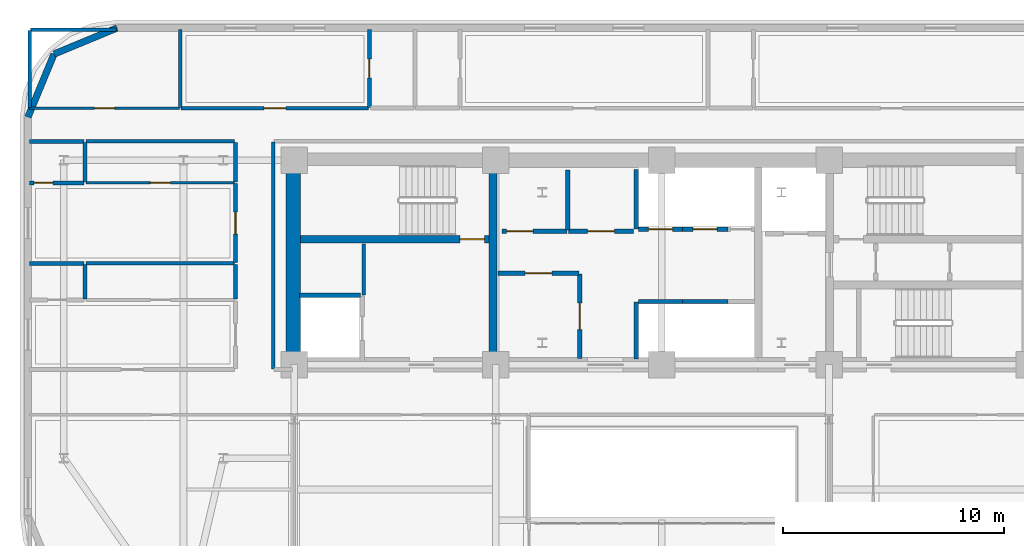
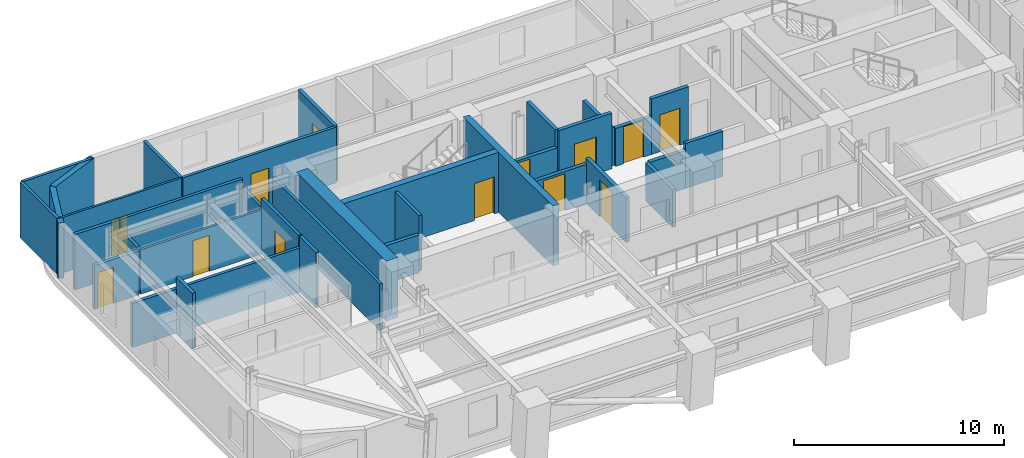
# One storey, part 8 of 14: 36 walls, 13 doors, 13 openings.
"""IFC4 building model written with IfcOpenShell, lengths in metres."""

from ifc_helpers import new_model, si_unit, direction, frame, frame_2d, origin, place, context, subcontext, project, spatial, rectangle, extrude, material, layer, layer_set, type_object, element, fill, save


model = new_model("IFC4")

# Units and contexts
model_context = context("Model", 3, precision=1e-05, world=origin(), true_north=direction((0.0, 1.0)))
body_context = subcontext(model_context, "Body", "Model", "MODEL_VIEW")
ifc_project = project(units=[si_unit("LENGTHUNIT", "METRE"), si_unit("AREAUNIT", "SQUARE_METRE"), si_unit("VOLUMEUNIT", "CUBIC_METRE"), si_unit("PLANEANGLEUNIT", "RADIAN"), si_unit("MASSUNIT", "GRAM", prefix="KILO")], contexts=[model_context])

# Site, building, storey
site_placement = place(None, origin())
site = spatial("IfcSite", under=ifc_project, at=site_placement, CompositionType="ELEMENT")
building_placement = place(site_placement, origin())
building = spatial("IfcBuilding", under=site, at=building_placement, Name="Zarnavel Station Tower", CompositionType="ELEMENT")
storey_placement = place(building_placement, frame((0.0, 0.0, 122.300048828125)))
storey = spatial("IfcBuildingStorey", under=building, at=storey_placement, Name="L33", CompositionType="ELEMENT", Elevation=122.300048828125)

# Wall
ifc_material_1 = material(Name="Concrete C50/60", Category="concrete")
ifc_layer_1 = layer(ifc_material_1, 0.35009765625)
ifc_layer_set_1 = layer_set([ifc_layer_1], Name="CW_350")
wall_type_1 = type_object("IfcWallType", Name="CW_350", PredefinedType="SHEAR", material=ifc_layer_set_1)
wall_1_placement = place(storey_placement, frame((21.179931640625, 28.14501953125, 0.0), z_axis=(0.0, 0.0, 1.0), x_axis=(0.0, 1.0, 0.0)))
element("IfcWall", 1, at=wall_1_placement, inside=storey, type_object=wall_type_1, Name="L33 Rear Core Shear Wall DIV-W", PredefinedType="SHEAR", context=body_context, shape_type="SweptSolid", body=[
    extrude(rectangle(XDim=8.580078125, YDim=0.35009765625, at=frame_2d((4.2900390625, 0.0))), origin(), (0.0, 0.0, 1.0), 3.5),
])

# Wall, opening, door
wall_2_placement = place(storey_placement, frame((21.0048828125, 33.47998046875, 0.0), z_axis=(0.0, 0.0, 1.0), x_axis=(-1.0, 0.0, 0.0)))
wall_2 = element("IfcWall", 2, at=wall_2_placement, inside=storey, type_object=wall_type_1, Name="L33 Rear Core Shear Wall DIV-H1", PredefinedType="SHEAR", context=body_context, shape_type="SweptSolid", body=[
    extrude(rectangle(XDim=8.52978515625, YDim=0.35009765625, at=frame_2d((4.264892578125, 0.0))), origin(), (0.0, 0.0, 1.0), 3.5),
])
opening_1_placement = place(wall_2_placement, frame((0.219970703125, 0.0, 0.0)))
opening_1 = element("IfcOpeningElement", 3, at=opening_1_placement, cuts=wall_2, Name="Opening FD01", PredefinedType="OPENING", context=body_context, shape_type="SweptSolid", body=[
    extrude(rectangle(XDim=1.10009765625, YDim=2.14990234375, at=frame_2d((0.550048828125, 1.074951171875))), frame((0.0, 0.18505859375, 0.0), z_axis=(0.0, -1.0, 0.0), x_axis=(1.0, 0.0, 0.0)), (0.0, 0.0, 1.0), 0.3701171875),
])
ifc_material_2 = material(Name="Painted Galvanised Steel and Hardwood Leaf", Category="steel")
door_type_1 = type_object("IfcDoorType", Name="ID_STAIR_1100", OperationType="NOTDEFINED", PredefinedType="DOOR", material=ifc_material_2)
door_1_placement = place(opening_1_placement, origin())
door_1 = element("IfcDoor", 4, at=door_1_placement, inside=storey, type_object=door_type_1, Name="L33 Stair ST1 Lobby Fire Door", OperationType="SINGLE_SWING_LEFT", OverallHeight=2.14990234375, OverallWidth=1.10009765625, PredefinedType="DOOR", context=body_context, shape_type="SweptSolid", body=[
    extrude(rectangle(XDim=1.10009765625, YDim=2.14990234375, at=frame_2d((0.550048828125, 1.074951171875))), frame((0.0, 0.02490234375, 0.0), z_axis=(0.0, -1.0, 0.0), x_axis=(1.0, 0.0, 0.0)), (0.0, 0.0, 1.0), 0.050048828125),
])
fill(opening_1, door_1)

# Walls
ifc_material_3 = material(Name="Concrete C60/75", Category="concrete")
ifc_layer_2 = layer(ifc_material_3, 0.64990234375)
ifc_layer_set_2 = layer_set([ifc_layer_2], Name="CW_650")
wall_type_2 = type_object("IfcWallType", Name="CW_650", PredefinedType="SHEAR", material=ifc_layer_set_2)
wall_3_placement = place(storey_placement, frame((12.14990234375, 28.14501953125, 0.0), z_axis=(0.0, 0.0, 1.0), x_axis=(0.0, 1.0, 0.0)))
element("IfcWall", 5, at=wall_3_placement, inside=storey, type_object=wall_type_2, Name="L33 Rear Core Shear Wall W", PredefinedType="SHEAR", context=body_context, shape_type="SweptSolid", body=[
    extrude(rectangle(XDim=8.580078125, YDim=0.64990234375, at=frame_2d((4.2900390625, 0.0))), origin(), (0.0, 0.0, 1.0), 3.5),
])
ifc_material_4 = material(Name="Precast concrete C45/55 (Dark Basalt Finish)", Category="masonry")
ifc_layer_3 = layer(ifc_material_4, 0.300048828125)
ifc_layer_set_3 = layer_set([ifc_layer_3], Name="EW_BASALT_300")
wall_type_3 = type_object("IfcWallType", Name="EW_BASALT_300", PredefinedType="SOLIDWALL", material=ifc_layer_set_3)
for number, where, z_axis, x_axis, name in (
    (6, (1.357421875, 41.842529296875, 0.0), (0.0, 0.0, 1.0), (0.923870793506, 0.382704529509, 0.0), "L33 Exterior Basalt Masonry Frame Wall 07"),
    (7, (0.179931640625, 39.0, 0.0), (0.0, 0.0, 1.0), (0.382704529509, 0.923870793506, 0.0), "L33 Exterior Basalt Masonry Frame Wall 08"),
):
    element("IfcWall", number, at=place(storey_placement, frame(where, z_axis=z_axis, x_axis=x_axis)), inside=storey, type_object=wall_type_3, Name=name, PredefinedType="SOLIDWALL", context=body_context, shape_type="SweptSolid", body=[
        extrude(rectangle(XDim=3.07666015625, YDim=0.300048828125, at=frame_2d((1.538330078125, 0.0))), origin(), (0.0, 0.0, 1.0), 3.239990234375),
    ])
ifc_material_5 = material(Name="Gypsum Twin-Stud Acoustic Fire Partition", Category="concrete")
ifc_layer_4 = layer(ifc_material_5, 0.159912109375)
ifc_layer_set_4 = layer_set([ifc_layer_4], Name="PT_DEMISE_160")
wall_type_4 = type_object("IfcWallType", Name="PT_DEMISE_160", PredefinedType="PARTITIONING", material=ifc_layer_set_4)
wall_4_placement = place(storey_placement, frame((9.550048828125, 30.781005859375, 0.0), z_axis=(0.0, 0.0, 1.0), x_axis=(0.0, 1.0, 0.0)))
element("IfcWall", 8, at=wall_4_placement, inside=storey, type_object=wall_type_4, Name="L33 Partition COR-W-FNW1S", PredefinedType="PARTITIONING", context=body_context, shape_type="SweptSolid", body=[
    extrude(rectangle(XDim=1.570068359375, YDim=0.159912109375, at=frame_2d((0.78515625, 0.0))), origin(), (0.0, 0.0, 1.0), 3.239990234375),
])

# Wall, opening, door
wall_5_placement = place(storey_placement, frame((9.550048828125, 32.430908203125, 0.0), z_axis=(0.0, 0.0, 1.0), x_axis=(0.0, 1.0, 0.0)))
wall_5 = element("IfcWall", 9, at=wall_5_placement, inside=storey, type_object=wall_type_4, Name="L33 Partition COR-W-FNW2R", PredefinedType="PARTITIONING", context=body_context, shape_type="SweptSolid", body=[
    extrude(rectangle(XDim=3.55615234375, YDim=0.159912109375, at=frame_2d((1.778076171875, 0.0))), origin(), (0.0, 0.0, 1.0), 3.239990234375),
])
opening_2_placement = place(wall_5_placement, frame((1.278076171875, 0.0, 0.0)))
opening_2 = element("IfcOpeningElement", 10, at=opening_2_placement, cuts=wall_5, Name="Opening FD02", PredefinedType="OPENING", context=body_context, shape_type="SweptSolid", body=[
    extrude(rectangle(XDim=1.0, YDim=2.14990234375, at=frame_2d((0.5, 1.074951171875))), frame((0.0, 0.08984375, 0.0), z_axis=(0.0, -1.0, 0.0), x_axis=(1.0, 0.0, 0.0)), (0.0, 0.0, 1.0), 0.179931640625),
])
ifc_material_6 = material(Name="Painted Galvanised Steel and Hardwood Leaf", Category="steel")
door_type_2 = type_object("IfcDoorType", Name="ID_ENTRY_1000", OperationType="NOTDEFINED", PredefinedType="DOOR", material=ifc_material_6)
door_2_placement = place(opening_2_placement, origin())
door_2 = element("IfcDoor", 11, at=door_2_placement, inside=storey, type_object=door_type_2, Name="L33 Door COR-W-FNW2R", OperationType="SINGLE_SWING_LEFT", OverallHeight=2.14990234375, OverallWidth=1.0, PredefinedType="DOOR", context=body_context, shape_type="SweptSolid", body=[
    extrude(rectangle(XDim=1.0, YDim=2.14990234375, at=frame_2d((0.5, 1.074951171875))), frame((0.0, 0.02490234375, 0.0), z_axis=(0.0, -1.0, 0.0), x_axis=(1.0, 0.0, 0.0)), (0.0, 0.0, 1.0), 0.050048828125),
])
fill(opening_2, door_2)

# Walls
wall_6_placement = place(storey_placement, frame((9.550048828125, 36.06689453125, 0.0), z_axis=(0.0, 0.0, 1.0), x_axis=(0.0, 1.0, 0.0)))
element("IfcWall", 12, at=wall_6_placement, inside=storey, type_object=wall_type_4, Name="L33 Partition COR-W-FNW2S", PredefinedType="PARTITIONING", context=body_context, shape_type="SweptSolid", body=[
    extrude(rectangle(XDim=1.793212890625, YDim=0.159912109375, at=frame_2d((0.896484375, 0.0))), origin(), (0.0, 0.0, 1.0), 2.719970703125),
])
wall_7_placement = place(storey_placement, frame((2.800048828125, 37.89990234375, 0.0), z_axis=(0.0, 0.0, 1.0), x_axis=(1.0, 0.0, 0.0)))
element("IfcWall", 13, at=wall_7_placement, inside=storey, type_object=wall_type_4, Name="L33 Partition COR-N-FNW2S", PredefinedType="PARTITIONING", context=body_context, shape_type="SweptSolid", body=[
    extrude(rectangle(XDim=6.7099609375, YDim=0.159912109375, at=frame_2d((3.35498046875, 0.0))), origin(), (0.0, 0.0, 1.0), 3.239990234375),
])

# Wall, opening, door
wall_8_placement = place(storey_placement, frame((7.10009765625, 39.39990234375, 0.0), z_axis=(0.0, 0.0, 1.0), x_axis=(1.0, 0.0, 0.0)))
wall_8 = element("IfcWall", 14, at=wall_8_placement, inside=storey, type_object=wall_type_4, Name="L33 Partition COR-N-HN1R", PredefinedType="PARTITIONING", context=body_context, shape_type="SweptSolid", body=[
    extrude(rectangle(XDim=8.454833984375, YDim=0.159912109375, at=frame_2d((4.2275390625, 0.0))), origin(), (0.0, 0.0, 1.0), 3.239990234375),
])
opening_3_placement = place(wall_8_placement, frame((3.7275390625, 0.0, 0.0)))
opening_3 = element("IfcOpeningElement", 15, at=opening_3_placement, cuts=wall_8, Name="Opening FD02", PredefinedType="OPENING", context=body_context, shape_type="SweptSolid", body=[
    extrude(rectangle(XDim=1.0, YDim=2.14990234375, at=frame_2d((0.5, 1.074951171875))), frame((0.0, 0.08984375, 0.0), z_axis=(0.0, -1.0, 0.0), x_axis=(1.0, 0.0, 0.0)), (0.0, 0.0, 1.0), 0.179931640625),
])
door_3_placement = place(opening_3_placement, origin())
door_3 = element("IfcDoor", 16, at=door_3_placement, inside=storey, type_object=door_type_2, Name="L33 Door COR-N-HN1R", OperationType="SINGLE_SWING_LEFT", OverallHeight=2.14990234375, OverallWidth=1.0, PredefinedType="DOOR", context=body_context, shape_type="SweptSolid", body=[
    extrude(rectangle(XDim=1.0, YDim=2.14990234375, at=frame_2d((0.5, 1.074951171875))), frame((0.0, 0.02490234375, 0.0), z_axis=(0.0, -1.0, 0.0), x_axis=(1.0, 0.0, 0.0)), (0.0, 0.0, 1.0), 0.050048828125),
])
fill(opening_3, door_3)

# Walls
wall_9_placement = place(storey_placement, frame((2.800048828125, 32.39111328125, 0.0), z_axis=(0.0, 0.0, 1.0), x_axis=(1.0, 0.0, 0.0)))
element("IfcWall", 17, at=wall_9_placement, inside=storey, type_object=wall_type_4, Name="L33 Partition FNW1S-FNW2R", PredefinedType="PARTITIONING", context=body_context, shape_type="SweptSolid", body=[
    extrude(rectangle(XDim=6.7099609375, YDim=0.159912109375, at=frame_2d((3.35498046875, 0.0))), origin(), (0.0, 0.0, 1.0), 2.570068359375),
])
wall_10_placement = place(storey_placement, frame((7.06005859375, 39.43994140625, 0.0), z_axis=(0.0, 0.0, 1.0), x_axis=(0.0, 1.0, 0.0)))
element("IfcWall", 18, at=wall_10_placement, inside=storey, type_object=wall_type_4, Name="L33 Partition HSKP-HN1R", PredefinedType="PARTITIONING", context=body_context, shape_type="SweptSolid", body=[
    extrude(rectangle(XDim=3.5, YDim=0.159912109375, at=frame_2d((1.75, 0.0))), origin(), (0.0, 0.0, 1.0), 3.239990234375),
])
wall_11_placement = place(storey_placement, frame((15.35009765625, 30.9599609375, 0.0), z_axis=(0.0, 0.0, 1.0), x_axis=(0.0, 1.0, 0.0)))
element("IfcWall", 19, at=wall_11_placement, inside=storey, type_object=wall_type_4, Name="L33 Enclosure Wall FFL1", PredefinedType="PARTITIONING", context=body_context, shape_type="SweptSolid", body=[
    extrude(rectangle(XDim=2.31005859375, YDim=0.159912109375, at=frame_2d((1.155029296875, 0.0))), origin(), (0.0, 0.0, 1.0), 3.239990234375),
])
wall_12_placement = place(storey_placement, frame((11.25, 27.6298828125, 0.0), z_axis=(0.0, 0.0, 1.0), x_axis=(0.0, 1.0, 0.0)))
element("IfcWall", 20, at=wall_12_placement, inside=storey, type_object=wall_type_4, Name="L33 Enclosure Wall COR-W", PredefinedType="PARTITIONING", context=body_context, shape_type="SweptSolid", body=[
    extrude(rectangle(XDim=10.240234375, YDim=0.159912109375, at=frame_2d((5.1201171875, 0.0))), origin(), (0.0, 0.0, 1.0), 2.719970703125),
])
wall_13_placement = place(storey_placement, frame((0.2900390625, 42.93994140625, 0.0), z_axis=(0.0, 0.0, 1.0), x_axis=(1.0, 0.0, 0.0)))
element("IfcWall", 21, at=wall_13_placement, inside=storey, type_object=wall_type_4, Name="L33 Enclosure Wall HSKP", PredefinedType="PARTITIONING", context=body_context, shape_type="SweptSolid", body=[
    extrude(rectangle(XDim=3.8798828125, YDim=0.159912109375, at=frame_2d((1.93994140625, 0.0))), origin(), (0.0, 0.0, 1.0), 3.239990234375),
])
wall_14_placement = place(storey_placement, frame((0.260009765625, 39.429931640625, 0.0), z_axis=(0.0, 0.0, 1.0), x_axis=(0.0, 1.0, 0.0)))
element("IfcWall", 22, at=wall_14_placement, inside=storey, type_object=wall_type_4, Name="L33 Enclosure Wall HSKP", PredefinedType="PARTITIONING", context=body_context, shape_type="SweptSolid", body=[
    extrude(rectangle(XDim=3.47998046875, YDim=0.159912109375, at=frame_2d((1.739990234375, 0.0))), origin(), (0.0, 0.0, 1.0), 3.239990234375),
])

# Wall, opening, door
ifc_material_7 = material(Name="Gypsum Metal-Stud Interior Partition", Category="concrete")
ifc_layer_5 = layer(ifc_material_7, 0.1201171875)
ifc_layer_set_5 = layer_set([ifc_layer_5], Name="PT_ROOM_120")
wall_type_5 = type_object("IfcWallType", Name="PT_ROOM_120", PredefinedType="PARTITIONING", material=ifc_layer_set_5)
wall_15_placement = place(storey_placement, frame((0.260009765625, 39.39990234375, 0.0), z_axis=(0.0, 0.0, 1.0), x_axis=(1.0, 0.0, 0.0)))
wall_15 = element("IfcWall", 23, at=wall_15_placement, inside=storey, type_object=wall_type_5, Name="L33 Partition COR-N-HSKP", PredefinedType="PARTITIONING", context=body_context, shape_type="SweptSolid", body=[
    extrude(rectangle(XDim=6.760009765625, YDim=0.1201171875, at=frame_2d((3.3798828125, 0.0))), origin(), (0.0, 0.0, 1.0), 3.239990234375),
])
opening_4_placement = place(wall_15_placement, frame((2.929931640625, 0.0, 0.0)))
opening_4 = element("IfcOpeningElement", 24, at=opening_4_placement, cuts=wall_15, Name="Opening ID01", PredefinedType="OPENING", context=body_context, shape_type="SweptSolid", body=[
    extrude(rectangle(XDim=0.89990234375, YDim=2.10009765625, at=frame_2d((0.449951171875, 1.050048828125))), frame((0.0, 0.070068359375, 0.0), z_axis=(0.0, -1.0, 0.0), x_axis=(1.0, 0.0, 0.0)), (0.0, 0.0, 1.0), 0.14013671875),
])
ifc_material_8 = material(Name="Painted Galvanised Steel and Hardwood Leaf", Category="steel")
door_type_3 = type_object("IfcDoorType", Name="ID_ROOM_900", OperationType="NOTDEFINED", PredefinedType="DOOR", material=ifc_material_8)
door_4_placement = place(opening_4_placement, origin())
door_4 = element("IfcDoor", 25, at=door_4_placement, inside=storey, type_object=door_type_3, Name="L33 Door COR-N-HSKP", OperationType="SINGLE_SWING_RIGHT", OverallHeight=2.10009765625, OverallWidth=0.89990234375, PredefinedType="DOOR", context=body_context, shape_type="SweptSolid", body=[
    extrude(rectangle(XDim=0.89990234375, YDim=2.10009765625, at=frame_2d((0.449951171875, 1.050048828125))), frame((0.0, 0.02490234375, 0.0), z_axis=(0.0, -1.0, 0.0), x_axis=(1.0, 0.0, 0.0)), (0.0, 0.0, 1.0), 0.050048828125),
])
fill(opening_4, door_4)

wall_16_placement = place(storey_placement, frame((2.800048828125, 36.027099609375, 0.0), z_axis=(0.0, 0.0, 1.0), x_axis=(1.0, 0.0, 0.0)))
wall_16 = element("IfcWall", 26, at=wall_16_placement, inside=storey, type_object=wall_type_5, Name="L33 Partition FNW2R-FNW2S", PredefinedType="PARTITIONING", context=body_context, shape_type="SweptSolid", body=[
    extrude(rectangle(XDim=6.7099609375, YDim=0.1201171875, at=frame_2d((3.35498046875, 0.0))), origin(), (0.0, 0.0, 1.0), 2.570068359375),
])
opening_5_placement = place(wall_16_placement, frame((2.905029296875, 0.0, 0.0)))
opening_5 = element("IfcOpeningElement", 27, at=opening_5_placement, cuts=wall_16, Name="Opening ID01", PredefinedType="OPENING", context=body_context, shape_type="SweptSolid", body=[
    extrude(rectangle(XDim=0.89990234375, YDim=2.10009765625, at=frame_2d((0.449951171875, 1.050048828125))), frame((0.0, 0.070068359375, 0.0), z_axis=(0.0, -1.0, 0.0), x_axis=(1.0, 0.0, 0.0)), (0.0, 0.0, 1.0), 0.14013671875),
])
door_5_placement = place(opening_5_placement, origin())
door_5 = element("IfcDoor", 28, at=door_5_placement, inside=storey, type_object=door_type_3, Name="L33 Door FNW2R-FNW2S", OperationType="SINGLE_SWING_LEFT", OverallHeight=2.10009765625, OverallWidth=0.89990234375, PredefinedType="DOOR", context=body_context, shape_type="SweptSolid", body=[
    extrude(rectangle(XDim=0.89990234375, YDim=2.10009765625, at=frame_2d((0.449951171875, 1.050048828125))), frame((0.0, 0.02490234375, 0.0), z_axis=(0.0, -1.0, 0.0), x_axis=(1.0, 0.0, 0.0)), (0.0, 0.0, 1.0), 0.050048828125),
])
fill(opening_5, door_5)

# Walls
ifc_material_9 = material(Name="Precast concrete C45/55 (Fire Shaft Blockwork)", Category="masonry")
ifc_layer_6 = layer(ifc_material_9, 0.199951171875)
ifc_layer_set_6 = layer_set([ifc_layer_6], Name="PT_SHAFT_200")
wall_type_6 = type_object("IfcWallType", Name="PT_SHAFT_200", PredefinedType="PARTITIONING", material=ifc_layer_set_6)
wall_17_placement = place(storey_placement, frame((12.449951171875, 30.949951171875, 0.0), z_axis=(0.0, 0.0, 1.0), x_axis=(1.0, 0.0, 0.0)))
element("IfcWall", 29, at=wall_17_placement, inside=storey, type_object=wall_type_6, Name="L33 Lift FFL-01 North Shaft Wall", PredefinedType="PARTITIONING", context=body_context, shape_type="SweptSolid", body=[
    extrude(rectangle(XDim=2.75, YDim=0.199951171875, at=frame_2d((1.375, 0.0))), origin(), (0.0, 0.0, 1.0), 2.2119140625),
])
wall_18_placement = place(storey_placement, frame((27.75, 30.669921875, 0.0), z_axis=(0.0, 0.0, 1.0), x_axis=(1.0, 0.0, 0.0)))
element("IfcWall", 30, at=wall_18_placement, inside=storey, type_object=wall_type_6, Name="L33 Lift PL-H1 Shaft Front Wall", PredefinedType="PARTITIONING", context=body_context, shape_type="SweptSolid", body=[
    extrude(rectangle(XDim=1.97509765625, YDim=0.199951171875, at=frame_2d((0.987548828125, 0.0))), origin(), (0.0, 0.0, 1.0), 2.2119140625),
])
wall_19_placement = place(storey_placement, frame((27.64990234375, 28.070068359375, 0.0), z_axis=(0.0, 0.0, 1.0), x_axis=(0.0, 1.0, 0.0)))
element("IfcWall", 31, at=wall_19_placement, inside=storey, type_object=wall_type_6, Name="L33 High-Rise Lift Bank West Shaft Wall", PredefinedType="PARTITIONING", context=body_context, shape_type="SweptSolid", body=[
    extrude(rectangle(XDim=2.579833984375, YDim=0.199951171875, at=frame_2d((1.2900390625, 0.0))), origin(), (0.0, 0.0, 1.0), 2.2119140625),
])
wall_20_placement = place(storey_placement, frame((29.72509765625, 30.669921875, 0.0), z_axis=(0.0, 0.0, 1.0), x_axis=(1.0, 0.0, 0.0)))
element("IfcWall", 32, at=wall_20_placement, inside=storey, type_object=wall_type_6, Name="L33 Lift PL-H2 Shaft Front Wall", PredefinedType="PARTITIONING", context=body_context, shape_type="SweptSolid", body=[
    extrude(rectangle(XDim=2.0498046875, YDim=0.199951171875, at=frame_2d((1.02490234375, 0.0))), origin(), (0.0, 0.0, 1.0), 2.619873046875),
])

# Wall, opening, door
wall_21_placement = place(storey_placement, frame((27.75, 33.929931640625, 0.0), z_axis=(0.0, 0.0, 1.0), x_axis=(1.0, 0.0, 0.0)))
wall_21 = element("IfcWall", 33, at=wall_21_placement, inside=storey, type_object=wall_type_6, Name="L33 Lift PL-M1 Shaft Front Wall", PredefinedType="PARTITIONING", context=body_context, shape_type="SweptSolid", body=[
    extrude(rectangle(XDim=1.97509765625, YDim=0.199951171875, at=frame_2d((0.987548828125, 0.0))), origin(), (0.0, 0.0, 1.0), 2.2119140625),
])
opening_6_placement = place(wall_21_placement, frame((0.4375, 0.0, 0.0)))
opening_6 = element("IfcOpeningElement", 34, at=opening_6_placement, cuts=wall_21, Name="Opening LD02", PredefinedType="OPENING", context=body_context, shape_type="SweptSolid", body=[
    extrude(rectangle(XDim=1.10009765625, YDim=2.14990234375, at=frame_2d((0.550048828125, 1.074951171875))), frame((0.0, 0.10986328125, 0.0), z_axis=(0.0, -1.0, 0.0), x_axis=(1.0, 0.0, 0.0)), (0.0, 0.0, 1.0), 0.219970703125),
])
ifc_material_10 = material(Name="Painted Galvanised Steel and Hardwood Leaf", Category="steel")
door_type_4 = type_object("IfcDoorType", Name="LD_PAX_1100", OperationType="DOUBLE_DOOR_SLIDING", PredefinedType="DOOR", material=ifc_material_10)
door_6_placement = place(opening_6_placement, origin())
door_6 = element("IfcDoor", 35, at=door_6_placement, inside=storey, type_object=door_type_4, Name="L33 Lift PL-M1 Sliding Landing Door", OperationType="DOUBLE_DOOR_SLIDING", OverallHeight=2.14990234375, OverallWidth=1.10009765625, PredefinedType="DOOR", context=body_context, shape_type="SweptSolid", body=[
    extrude(rectangle(XDim=1.10009765625, YDim=2.14990234375, at=frame_2d((0.550048828125, 1.074951171875))), frame((0.0, 0.02490234375, 0.0), z_axis=(0.0, -1.0, 0.0), x_axis=(1.0, 0.0, 0.0)), (0.0, 0.0, 1.0), 0.050048828125),
])
fill(opening_6, door_6)

# Wall
wall_22_placement = place(storey_placement, frame((27.64990234375, 33.949951171875, 0.0), z_axis=(0.0, 0.0, 1.0), x_axis=(0.0, 1.0, 0.0)))
element("IfcWall", 36, at=wall_22_placement, inside=storey, type_object=wall_type_6, Name="L33 Mid-Rise Lift Bank West Shaft Wall", PredefinedType="PARTITIONING", context=body_context, shape_type="SweptSolid", body=[
    extrude(rectangle(XDim=2.679931640625, YDim=0.199951171875, at=frame_2d((1.33984375, 0.0))), origin(), (0.0, 0.0, 1.0), 2.2119140625),
])

# Wall, opening, door
wall_23_placement = place(storey_placement, frame((29.72509765625, 33.929931640625, 0.0), z_axis=(0.0, 0.0, 1.0), x_axis=(1.0, 0.0, 0.0)))
wall_23 = element("IfcWall", 37, at=wall_23_placement, inside=storey, type_object=wall_type_6, Name="L33 Lift PL-M2 Shaft Front Wall", PredefinedType="PARTITIONING", context=body_context, shape_type="SweptSolid", body=[
    extrude(rectangle(XDim=2.0498046875, YDim=0.199951171875, at=frame_2d((1.02490234375, 0.0))), origin(), (0.0, 0.0, 1.0), 3.239990234375),
])
opening_7_placement = place(wall_23_placement, frame((0.47509765625, 0.0, 0.0)))
opening_7 = element("IfcOpeningElement", 38, at=opening_7_placement, cuts=wall_23, Name="Opening LD02", PredefinedType="OPENING", context=body_context, shape_type="SweptSolid", body=[
    extrude(rectangle(XDim=1.10009765625, YDim=2.14990234375, at=frame_2d((0.550048828125, 1.074951171875))), frame((0.0, 0.10986328125, 0.0), z_axis=(0.0, -1.0, 0.0), x_axis=(1.0, 0.0, 0.0)), (0.0, 0.0, 1.0), 0.219970703125),
])
door_7_placement = place(opening_7_placement, origin())
door_7 = element("IfcDoor", 39, at=door_7_placement, inside=storey, type_object=door_type_4, Name="L33 Lift PL-M2 Sliding Landing Door", OperationType="DOUBLE_DOOR_SLIDING", OverallHeight=2.14990234375, OverallWidth=1.10009765625, PredefinedType="DOOR", context=body_context, shape_type="SweptSolid", body=[
    extrude(rectangle(XDim=1.10009765625, YDim=2.14990234375, at=frame_2d((0.550048828125, 1.074951171875))), frame((0.0, 0.02490234375, 0.0), z_axis=(0.0, -1.0, 0.0), x_axis=(1.0, 0.0, 0.0)), (0.0, 0.0, 1.0), 0.050048828125),
])
fill(opening_7, door_7)

wall_24_placement = place(storey_placement, frame((21.39990234375, 31.949951171875, 0.0), z_axis=(0.0, 0.0, 1.0), x_axis=(1.0, 0.0, 0.0)))
wall_24 = element("IfcWall", 40, at=wall_24_placement, inside=storey, type_object=wall_type_6, Name="L33 Partition LLOB-CS1", PredefinedType="PARTITIONING", context=body_context, shape_type="SweptSolid", body=[
    extrude(rectangle(XDim=3.66015625, YDim=0.199951171875, at=frame_2d((1.830078125, 0.0))), origin(), (0.0, 0.0, 1.0), 2.280029296875),
])
opening_8_placement = place(wall_24_placement, frame((1.22998046875, 0.0, 0.0)))
opening_8 = element("IfcOpeningElement", 41, at=opening_8_placement, cuts=wall_24, Name="Opening FD03", PredefinedType="OPENING", context=body_context, shape_type="SweptSolid", body=[
    extrude(rectangle(XDim=1.199951171875, YDim=2.14990234375, at=frame_2d((0.60009765625, 1.074951171875))), frame((0.0, 0.10986328125, 0.0), z_axis=(0.0, -1.0, 0.0), x_axis=(1.0, 0.0, 0.0)), (0.0, 0.0, 1.0), 0.219970703125),
])
ifc_material_11 = material(Name="Painted Galvanised Steel and Hardwood Leaf", Category="steel")
door_type_5 = type_object("IfcDoorType", Name="ID_PLANT_1200", OperationType="NOTDEFINED", PredefinedType="DOOR", material=ifc_material_11)
door_8_placement = place(opening_8_placement, origin())
door_8 = element("IfcDoor", 42, at=door_8_placement, inside=storey, type_object=door_type_5, Name="L33 Door LLOB-CS1", OperationType="SINGLE_SWING_RIGHT", OverallHeight=2.14990234375, OverallWidth=1.199951171875, PredefinedType="DOOR", context=body_context, shape_type="SweptSolid", body=[
    extrude(rectangle(XDim=1.199951171875, YDim=2.14990234375, at=frame_2d((0.60009765625, 1.074951171875))), frame((0.0, 0.02490234375, 0.0), z_axis=(0.0, -1.0, 0.0), x_axis=(1.0, 0.0, 0.0)), (0.0, 0.0, 1.0), 0.050048828125),
])
fill(opening_8, door_8)

wall_25_placement = place(storey_placement, frame((21.590087890625, 33.85009765625, 0.0), z_axis=(0.0, 0.0, 1.0), x_axis=(1.0, 0.0, 0.0)))
wall_25 = element("IfcWall", 43, at=wall_25_placement, inside=storey, type_object=wall_type_6, Name="L33 Partition LLOB-FB1A", PredefinedType="PARTITIONING", context=body_context, shape_type="SweptSolid", body=[
    extrude(rectangle(XDim=2.919921875, YDim=0.199951171875, at=frame_2d((1.4599609375, 0.0))), origin(), (0.0, 0.0, 1.0), 2.280029296875),
])
opening_9_placement = place(wall_25_placement, frame((0.199951171875, 0.0, 0.0)))
opening_9 = element("IfcOpeningElement", 44, at=opening_9_placement, cuts=wall_25, Name="Opening FD03", PredefinedType="OPENING", context=body_context, shape_type="SweptSolid", body=[
    extrude(rectangle(XDim=1.199951171875, YDim=2.14990234375, at=frame_2d((0.60009765625, 1.074951171875))), frame((0.0, 0.10986328125, 0.0), z_axis=(0.0, -1.0, 0.0), x_axis=(1.0, 0.0, 0.0)), (0.0, 0.0, 1.0), 0.219970703125),
])
door_9_placement = place(opening_9_placement, origin())
door_9 = element("IfcDoor", 45, at=door_9_placement, inside=storey, type_object=door_type_5, Name="L33 Door LLOB-FB1A", OperationType="SINGLE_SWING_LEFT", OverallHeight=2.14990234375, OverallWidth=1.199951171875, PredefinedType="DOOR", context=body_context, shape_type="SweptSolid", body=[
    extrude(rectangle(XDim=1.199951171875, YDim=2.14990234375, at=frame_2d((0.60009765625, 1.074951171875))), frame((0.0, 0.02490234375, 0.0), z_axis=(0.0, -1.0, 0.0), x_axis=(1.0, 0.0, 0.0)), (0.0, 0.0, 1.0), 0.050048828125),
])
fill(opening_9, door_9)

wall_26_placement = place(storey_placement, frame((24.590087890625, 33.85009765625, 0.0), z_axis=(0.0, 0.0, 1.0), x_axis=(1.0, 0.0, 0.0)))
wall_26 = element("IfcWall", 46, at=wall_26_placement, inside=storey, type_object=wall_type_6, Name="L33 Partition LLOB-FB1B", PredefinedType="PARTITIONING", context=body_context, shape_type="SweptSolid", body=[
    extrude(rectangle(XDim=2.919921875, YDim=0.199951171875, at=frame_2d((1.4599609375, 0.0))), origin(), (0.0, 0.0, 1.0), 3.239990234375),
])
opening_10_placement = place(wall_26_placement, frame((0.860107421875, 0.0, 0.0)))
opening_10 = element("IfcOpeningElement", 47, at=opening_10_placement, cuts=wall_26, Name="Opening FD03", PredefinedType="OPENING", context=body_context, shape_type="SweptSolid", body=[
    extrude(rectangle(XDim=1.199951171875, YDim=2.14990234375, at=frame_2d((0.60009765625, 1.074951171875))), frame((0.0, 0.10986328125, 0.0), z_axis=(0.0, -1.0, 0.0), x_axis=(1.0, 0.0, 0.0)), (0.0, 0.0, 1.0), 0.219970703125),
])
door_10_placement = place(opening_10_placement, origin())
door_10 = element("IfcDoor", 48, at=door_10_placement, inside=storey, type_object=door_type_5, Name="L33 Door LLOB-FB1B", OperationType="SINGLE_SWING_RIGHT", OverallHeight=2.14990234375, OverallWidth=1.199951171875, PredefinedType="DOOR", context=body_context, shape_type="SweptSolid", body=[
    extrude(rectangle(XDim=1.199951171875, YDim=2.14990234375, at=frame_2d((0.60009765625, 1.074951171875))), frame((0.0, 0.02490234375, 0.0), z_axis=(0.0, -1.0, 0.0), x_axis=(1.0, 0.0, 0.0)), (0.0, 0.0, 1.0), 0.050048828125),
])
fill(opening_10, door_10)

wall_27_placement = place(storey_placement, frame((25.10009765625, 28.090087890625, 0.0), z_axis=(0.0, 0.0, 1.0), x_axis=(0.0, 1.0, 0.0)))
wall_27 = element("IfcWall", 49, at=wall_27_placement, inside=storey, type_object=wall_type_6, Name="L33 Partition LLOBS-CS1", PredefinedType="PARTITIONING", context=body_context, shape_type="SweptSolid", body=[
    extrude(rectangle(XDim=3.81982421875, YDim=0.199951171875, at=frame_2d((1.909912109375, 0.0))), origin(), (0.0, 0.0, 1.0), 2.619873046875),
])
opening_11_placement = place(wall_27_placement, frame((1.31005859375, 0.0, 0.0)))
opening_11 = element("IfcOpeningElement", 50, at=opening_11_placement, cuts=wall_27, Name="Opening FD03", PredefinedType="OPENING", context=body_context, shape_type="SweptSolid", body=[
    extrude(rectangle(XDim=1.199951171875, YDim=2.14990234375, at=frame_2d((0.60009765625, 1.074951171875))), frame((0.0, 0.10986328125, 0.0), z_axis=(0.0, -1.0, 0.0), x_axis=(1.0, 0.0, 0.0)), (0.0, 0.0, 1.0), 0.219970703125),
])
door_11_placement = place(opening_11_placement, origin())
door_11 = element("IfcDoor", 51, at=door_11_placement, inside=storey, type_object=door_type_5, Name="L33 Door LLOBS-CS1", OperationType="SINGLE_SWING_LEFT", OverallHeight=2.14990234375, OverallWidth=1.199951171875, PredefinedType="DOOR", context=body_context, shape_type="SweptSolid", body=[
    extrude(rectangle(XDim=1.199951171875, YDim=2.14990234375, at=frame_2d((0.60009765625, 1.074951171875))), frame((0.0, 0.02490234375, 0.0), z_axis=(0.0, -1.0, 0.0), x_axis=(1.0, 0.0, 0.0)), (0.0, 0.0, 1.0), 0.050048828125),
])
fill(opening_11, door_11)

# Walls
wall_28_placement = place(storey_placement, frame((24.550048828125, 33.889892578125, 0.0), z_axis=(0.0, 0.0, 1.0), x_axis=(0.0, 1.0, 0.0)))
element("IfcWall", 52, at=wall_28_placement, inside=storey, type_object=wall_type_6, Name="L33 Partition FB1A-FB1B", PredefinedType="PARTITIONING", context=body_context, shape_type="SweptSolid", body=[
    extrude(rectangle(XDim=2.72021484375, YDim=0.199951171875, at=frame_2d((1.360107421875, 0.0))), origin(), (0.0, 0.0, 1.0), 3.239990234375),
])
ifc_material_12 = material(Name="Moisture-Resistant Plumbing Chase Wall", Category="concrete")
ifc_layer_7 = layer(ifc_material_12, 0.179931640625)
ifc_layer_set_7 = layer_set([ifc_layer_7], Name="PW_PLUMB_180")
wall_type_7 = type_object("IfcWallType", Name="PW_PLUMB_180", PredefinedType="PLUMBINGWALL", material=ifc_layer_set_7)
wall_29_placement = place(storey_placement, frame((0.260009765625, 37.89990234375, 0.0), z_axis=(0.0, 0.0, 1.0), x_axis=(1.0, 0.0, 0.0)))
element("IfcWall", 53, at=wall_29_placement, inside=storey, type_object=wall_type_7, Name="L33 Partition COR-N-FNW2B", PredefinedType="PLUMBINGWALL", context=body_context, shape_type="SweptSolid", body=[
    extrude(rectangle(XDim=2.4599609375, YDim=0.179931640625, at=frame_2d((1.22998046875, 0.0))), origin(), (0.0, 0.0, 1.0), 3.239990234375),
])
wall_30_placement = place(storey_placement, frame((2.760009765625, 30.781005859375, 0.0), z_axis=(0.0, 0.0, 1.0), x_axis=(0.0, 1.0, 0.0)))
element("IfcWall", 54, at=wall_30_placement, inside=storey, type_object=wall_type_7, Name="L33 Partition FNW1B-FNW1S", PredefinedType="PLUMBINGWALL", context=body_context, shape_type="SweptSolid", body=[
    extrude(rectangle(XDim=1.570068359375, YDim=0.179931640625, at=frame_2d((0.78515625, 0.0))), origin(), (0.0, 0.0, 1.0), 3.239990234375),
])
wall_31_placement = place(storey_placement, frame((0.260009765625, 32.39111328125, 0.0), z_axis=(0.0, 0.0, 1.0), x_axis=(1.0, 0.0, 0.0)))
element("IfcWall", 55, at=wall_31_placement, inside=storey, type_object=wall_type_7, Name="L33 Partition FNW1B-FNW2R", PredefinedType="PLUMBINGWALL", context=body_context, shape_type="SweptSolid", body=[
    extrude(rectangle(XDim=2.4599609375, YDim=0.179931640625, at=frame_2d((1.22998046875, 0.0))), origin(), (0.0, 0.0, 1.0), 2.570068359375),
])

# Wall, opening, door
wall_32_placement = place(storey_placement, frame((2.719970703125, 36.027099609375, 0.0), z_axis=(0.0, 0.0, 1.0), x_axis=(-1.0, 0.0, 0.0)))
wall_32 = element("IfcWall", 56, at=wall_32_placement, inside=storey, type_object=wall_type_7, Name="L33 Partition FNW2R-FNW2B", PredefinedType="PLUMBINGWALL", context=body_context, shape_type="SweptSolid", body=[
    extrude(rectangle(XDim=2.4599609375, YDim=0.179931640625, at=frame_2d((1.22998046875, 0.0))), origin(), (0.0, 0.0, 1.0), 2.570068359375),
])
opening_12_placement = place(wall_32_placement, frame((1.41455078125, 0.0, 0.0)))
opening_12 = element("IfcOpeningElement", 57, at=opening_12_placement, cuts=wall_32, Name="Opening ID02", PredefinedType="OPENING", context=body_context, shape_type="SweptSolid", body=[
    extrude(rectangle(XDim=0.85009765625, YDim=2.10009765625, at=frame_2d((0.425048828125, 1.050048828125))), frame((0.0, 0.099853515625, 0.0), z_axis=(0.0, -1.0, 0.0), x_axis=(1.0, 0.0, 0.0)), (0.0, 0.0, 1.0), 0.199951171875),
])
ifc_material_13 = material(Name="Painted Galvanised Steel and Hardwood Leaf", Category="steel")
door_type_6 = type_object("IfcDoorType", Name="ID_BATH_850", OperationType="NOTDEFINED", PredefinedType="DOOR", material=ifc_material_13)
door_12_placement = place(opening_12_placement, origin())
door_12 = element("IfcDoor", 58, at=door_12_placement, inside=storey, type_object=door_type_6, Name="L33 Door FNW2R-FNW2B", OperationType="SINGLE_SWING_RIGHT", OverallHeight=2.10009765625, OverallWidth=0.85009765625, PredefinedType="DOOR", context=body_context, shape_type="SweptSolid", body=[
    extrude(rectangle(XDim=0.85009765625, YDim=2.10009765625, at=frame_2d((0.425048828125, 1.050048828125))), frame((0.0, 0.02490234375, 0.0), z_axis=(0.0, -1.0, 0.0), x_axis=(1.0, 0.0, 0.0)), (0.0, 0.0, 1.0), 0.050048828125),
])
fill(opening_12, door_12)

# Wall
wall_33_placement = place(storey_placement, frame((2.760009765625, 36.06689453125, 0.0), z_axis=(0.0, 0.0, 1.0), x_axis=(0.0, 1.0, 0.0)))
element("IfcWall", 59, at=wall_33_placement, inside=storey, type_object=wall_type_7, Name="L33 Partition FNW2B-FNW2S", PredefinedType="PLUMBINGWALL", context=body_context, shape_type="SweptSolid", body=[
    extrude(rectangle(XDim=1.793212890625, YDim=0.179931640625, at=frame_2d((0.896484375, 0.0))), origin(), (0.0, 0.0, 1.0), 2.719970703125),
])

# Wall, opening, door
wall_34_placement = place(storey_placement, frame((15.594970703125, 39.43994140625, 0.0), z_axis=(0.0, 0.0, 1.0), x_axis=(0.0, 1.0, 0.0)))
wall_34 = element("IfcWall", 60, at=wall_34_placement, inside=storey, type_object=wall_type_7, Name="L33 Partition HN1R-HN1B", PredefinedType="PLUMBINGWALL", context=body_context, shape_type="SweptSolid", body=[
    extrude(rectangle(XDim=3.5, YDim=0.179931640625, at=frame_2d((1.75, 0.0))), origin(), (0.0, 0.0, 1.0), 3.239990234375),
])
opening_13_placement = place(wall_34_placement, frame((1.324951171875, 0.0, 0.0)))
opening_13 = element("IfcOpeningElement", 61, at=opening_13_placement, cuts=wall_34, Name="Opening ID02", PredefinedType="OPENING", context=body_context, shape_type="SweptSolid", body=[
    extrude(rectangle(XDim=0.85009765625, YDim=2.10009765625, at=frame_2d((0.425048828125, 1.050048828125))), frame((0.0, 0.099853515625, 0.0), z_axis=(0.0, -1.0, 0.0), x_axis=(1.0, 0.0, 0.0)), (0.0, 0.0, 1.0), 0.199951171875),
])
door_13_placement = place(opening_13_placement, origin())
door_13 = element("IfcDoor", 62, at=door_13_placement, inside=storey, type_object=door_type_6, Name="L33 Door HN1R-HN1B", OperationType="SINGLE_SWING_RIGHT", OverallHeight=2.10009765625, OverallWidth=0.85009765625, PredefinedType="DOOR", context=body_context, shape_type="SweptSolid", body=[
    extrude(rectangle(XDim=0.85009765625, YDim=2.10009765625, at=frame_2d((0.425048828125, 1.050048828125))), frame((0.0, 0.02490234375, 0.0), z_axis=(0.0, -1.0, 0.0), x_axis=(1.0, 0.0, 0.0)), (0.0, 0.0, 1.0), 0.050048828125),
])
fill(opening_13, door_13)

save(model, "model.ifc")
